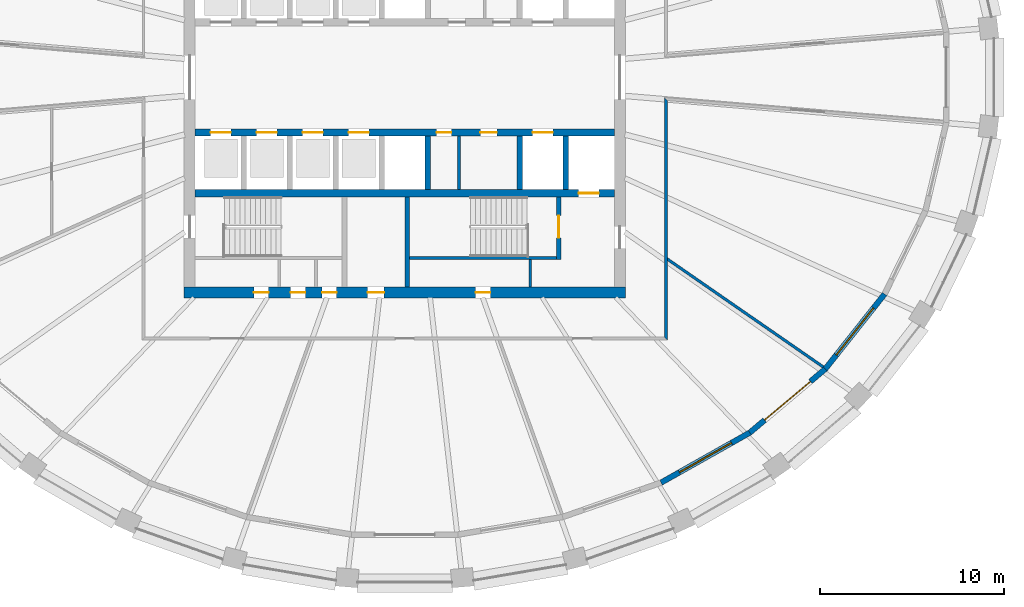
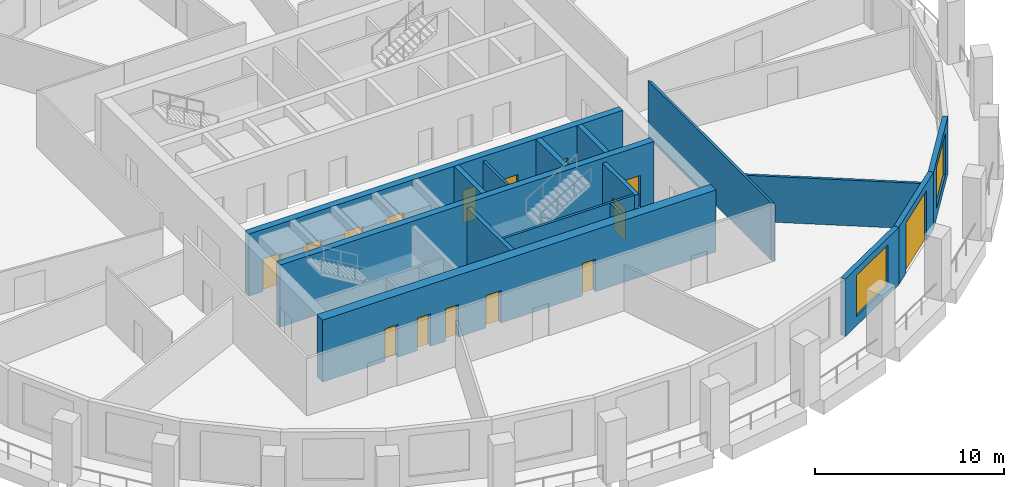
# One storey, part 4 of 10: 16 walls, 15 doors, 2 windows, 17 openings.
"""IFC4 building model written with IfcOpenShell, lengths in metres."""

from ifc_helpers import new_model, si_unit, direction, frame, frame_2d, origin, place, context, subcontext, project, spatial, polyline, rectangle, outline, extrude, material, layer, layer_set, type_object, element, fill, save


model = new_model("IFC4")

# Units and contexts
model_context = context("Model", 3, precision=1e-05, world=origin(), true_north=direction((0.0, 1.0)))
body_context = subcontext(model_context, "Body", "Model", "MODEL_VIEW")
ifc_project = project(units=[si_unit("LENGTHUNIT", "METRE"), si_unit("AREAUNIT", "SQUARE_METRE"), si_unit("VOLUMEUNIT", "CUBIC_METRE"), si_unit("PLANEANGLEUNIT", "RADIAN"), si_unit("MASSUNIT", "GRAM", prefix="KILO")], contexts=[model_context])

# Site, building, storey
site_placement = place(None, origin())
site = spatial("IfcSite", under=ifc_project, at=site_placement, CompositionType="ELEMENT")
building_placement = place(site_placement, origin())
building = spatial("IfcBuilding", under=site, at=building_placement, Name="Halqa Exchange Tower", CompositionType="ELEMENT")
storey_placement = place(building_placement, frame((0.0, 0.0, 210.89990234375)))
storey = spatial("IfcBuildingStorey", under=building, at=storey_placement, Name="L48", CompositionType="ELEMENT", Elevation=210.89990234375)

# Walls
ifc_material_1 = material(Name="Fire-rated gypsum board")
ifc_layer_1 = layer(ifc_material_1, 0.14990234375)
ifc_layer_set_1 = layer_set([ifc_layer_1], Name="Fire-rated gypsum board")
wall_type_1 = type_object("IfcWallType", Name="Fire partition EI 60 150", PredefinedType="PARTITIONING", material=ifc_layer_set_1)
wall_1_placement = place(storey_placement, frame((14.199951171875, -14.27490234375, 0.0), z_axis=(0.0, 0.0, 1.0), x_axis=(0.0, 1.0, 0.0)))
element("IfcWall", 1, at=wall_1_placement, inside=storey, type_object=wall_type_1, Name="L48-PWL-016", PredefinedType="PARTITIONING", context=body_context, shape_type="SweptSolid", body=[
    extrude(outline(polyline([(0.0, -0.074951171875), (1.859130859375, -0.074951171875), (3.71826171875, -0.074951171875), (5.5771484375, -0.074951171875), (7.436279296875, -0.074951171875), (9.29541015625, -0.074951171875), (11.154541015625, -0.074951171875), (13.013427734375, -0.074951171875), (13.176513671875, 0.074951171875), (11.3154296875, 0.074951171875), (9.45458984375, 0.074951171875), (7.593505859375, 0.074951171875), (5.732666015625, 0.074951171875), (3.871826171875, 0.074951171875), (2.0107421875, 0.074951171875), (0.14990234375, 0.074951171875), (0.0, -0.074951171875)])), origin(), (0.0, 0.0, 1.0), 3.7001953125),
])
wall_2_placement = place(storey_placement, frame((14.232421875, -9.8525390625, 0.0), z_axis=(0.0, 0.0, 1.0), x_axis=(0.822298116352, -0.569056946047, 0.0)))
element("IfcWall", 2, at=wall_2_placement, inside=storey, type_object=wall_type_1, Name="L48-PWL-017", PredefinedType="PARTITIONING", context=body_context, shape_type="SweptSolid", body=[
    extrude(outline(polyline([(0.103759765625, -0.074951171875), (1.810791015625, -0.074951171875), (3.517822265625, -0.074951171875), (5.224853515625, -0.074951171875), (6.931884765625, -0.074951171875), (8.638916015625, -0.074951171875), (10.345947265625, -0.074951171875), (10.36572265625, -0.001953125), (10.370361328125, 0.070068359375), (10.370361328125, 0.074951171875), (8.64208984375, 0.074951171875), (6.91357421875, 0.074951171875), (5.18505859375, 0.074951171875), (3.456787109375, 0.074951171875), (1.728515625, 0.074951171875), (0.0, 0.074951171875), (0.0, 0.07470703125), (0.103759765625, -0.074951171875)])), origin(), (0.0, 0.0, 1.0), 2.947021484375),
])
ifc_material_2 = material(Name="Gypsum board")
ifc_layer_2 = layer(ifc_material_2, 0.14990234375)
ifc_layer_set_2 = layer_set([ifc_layer_2], Name="Gypsum board")
wall_type_2 = type_object("IfcWallType", Name="Penthouse riser wall 150 gypsum", PredefinedType="PARTITIONING", material=ifc_layer_set_2)
wall_3_placement = place(storey_placement, frame((6.824951171875, -11.39990234375, 0.0), z_axis=(0.0, 0.0, 1.0), x_axis=(0.0, 1.0, 0.0)))
element("IfcWall", 3, at=wall_3_placement, inside=storey, type_object=wall_type_2, Name="Firefighting lobby west wall S", PredefinedType="PARTITIONING", context=body_context, shape_type="SweptSolid", body=[
    extrude(rectangle(XDim=1.5, YDim=0.14990234375, at=frame_2d((0.75, 0.0))), origin(), (0.0, 0.0, 1.0), 3.7001953125),
])
wall_4_placement = place(storey_placement, frame((2.949951171875, -6.10009765625, 0.0), z_axis=(0.0, 0.0, 1.0), x_axis=(0.0, 1.0, 0.0)))
element("IfcWall", 4, at=wall_4_placement, inside=storey, type_object=wall_type_2, Name="Freed bay partition SE2.950", PredefinedType="PARTITIONING", context=body_context, shape_type="SweptSolid", body=[
    extrude(rectangle(XDim=2.900146484375, YDim=0.14990234375, at=frame_2d((1.4501953125, 0.0))), origin(), (0.0, 0.0, 1.0), 3.7001953125),
])
ifc_material_3 = material(Name="Concrete C60/75", Category="concrete")
ifc_layer_3 = layer(ifc_material_3, 0.300048828125)
ifc_layer_set_3 = layer_set([ifc_layer_3], Name="Concrete C60/75")
wall_type_3 = type_object("IfcWallType", Name="RC core wall 300", PredefinedType="SHEAR", material=ifc_layer_set_3)
for number, where, z_axis, x_axis, name in (
    (5, (1.25, -6.10009765625, 0.0), (0.0, 0.0, 1.0), (0.0, 1.0, 0.0), "Shaft divider S5"),
    (6, (6.25, -6.10009765625, 0.0), (0.0, 0.0, 1.0), (0.0, 1.0, 0.0), "Shaft divider S7"),
    (7, (8.75, -6.10009765625, 0.0), (0.0, 0.0, 1.0), (0.0, 1.0, 0.0), "Shaft divider S8"),
):
    element("IfcWall", number, at=place(storey_placement, frame(where, z_axis=z_axis, x_axis=x_axis)), inside=storey, type_object=wall_type_3, Name=name, PredefinedType="SHEAR", context=body_context, shape_type="SweptSolid", body=[
        extrude(rectangle(XDim=2.900146484375, YDim=0.300048828125, at=frame_2d((1.4501953125, 0.0))), origin(), (0.0, 0.0, 1.0), 4.0),
    ])

# Wall, openings, doors
ifc_material_4 = material(Name="Concrete C70/85", Category="concrete")
ifc_layer_4 = layer(ifc_material_4, 0.39990234375)
ifc_layer_set_4 = layer_set([ifc_layer_4], Name="Concrete C70/85")
wall_type_4 = type_object("IfcWallType", Name="RC core wall 400 C70/85", PredefinedType="SHEAR", material=ifc_layer_set_4)
wall_5_placement = place(storey_placement, frame((-11.39990234375, -3.0, 0.0), z_axis=(0.0, 0.0, 1.0), x_axis=(1.0, 0.0, 0.0)))
wall_5 = element("IfcWall", 8, at=wall_5_placement, inside=storey, type_object=wall_type_4, Name="Lift row front wall S", PredefinedType="SHEAR", context=body_context, shape_type="SweptSolid", body=[
    extrude(rectangle(XDim=22.7998046875, YDim=0.39990234375, at=frame_2d((11.39990234375, 0.0))), origin(), (0.0, 0.0, 1.0), 4.0),
])
opening_1_placement = place(wall_5_placement, frame((0.85009765625, 0.0, 0.0)))
opening_1 = element("IfcOpeningElement", 9, at=opening_1_placement, cuts=wall_5, Name="Opening LD-HR3-T14", PredefinedType="OPENING", context=body_context, shape_type="SweptSolid", body=[
    extrude(rectangle(XDim=1.10009765625, YDim=2.10009765625, at=frame_2d((0.550048828125, 1.050048828125))), frame((0.0, 0.2119140625, 0.0), z_axis=(0.0, -1.0, 0.0), x_axis=(1.0, 0.0, 0.0)), (0.0, 0.0, 1.0), 0.423828125),
])
opening_2_placement = place(wall_5_placement, frame((3.35009765625, 0.0, 0.0)))
opening_2 = element("IfcOpeningElement", 10, at=opening_2_placement, cuts=wall_5, Name="Opening LD-HR4-T14", PredefinedType="OPENING", context=body_context, shape_type="SweptSolid", body=[
    extrude(rectangle(XDim=1.10009765625, YDim=2.10009765625, at=frame_2d((0.550048828125, 1.050048828125))), frame((0.0, 0.2119140625, 0.0), z_axis=(0.0, -1.0, 0.0), x_axis=(1.0, 0.0, 0.0)), (0.0, 0.0, 1.0), 0.423828125),
])
opening_3_placement = place(wall_5_placement, frame((5.85009765625, 0.0, 0.0)))
opening_3 = element("IfcOpeningElement", 11, at=opening_3_placement, cuts=wall_5, Name="Opening LD-MR3-T14", PredefinedType="OPENING", context=body_context, shape_type="SweptSolid", body=[
    extrude(rectangle(XDim=1.10009765625, YDim=2.10009765625, at=frame_2d((0.550048828125, 1.050048828125))), frame((0.0, 0.2119140625, 0.0), z_axis=(0.0, -1.0, 0.0), x_axis=(1.0, 0.0, 0.0)), (0.0, 0.0, 1.0), 0.423828125),
])
opening_4_placement = place(wall_5_placement, frame((8.35009765625, 0.0, 0.0)))
opening_4 = element("IfcOpeningElement", 12, at=opening_4_placement, cuts=wall_5, Name="Opening LD-MR4-T14", PredefinedType="OPENING", context=body_context, shape_type="SweptSolid", body=[
    extrude(rectangle(XDim=1.10009765625, YDim=2.10009765625, at=frame_2d((0.550048828125, 1.050048828125))), frame((0.0, 0.2119140625, 0.0), z_axis=(0.0, -1.0, 0.0), x_axis=(1.0, 0.0, 0.0)), (0.0, 0.0, 1.0), 0.423828125),
])
opening_5_placement = place(wall_5_placement, frame((18.35009765625, 0.0, 0.0)))
opening_5 = element("IfcOpeningElement", 13, at=opening_5_placement, cuts=wall_5, Name="Opening LD-SV2-T14", PredefinedType="OPENING", context=body_context, shape_type="SweptSolid", body=[
    extrude(rectangle(XDim=1.10009765625, YDim=2.10009765625, at=frame_2d((0.550048828125, 1.050048828125))), frame((0.0, 0.2119140625, 0.0), z_axis=(0.0, -1.0, 0.0), x_axis=(1.0, 0.0, 0.0)), (0.0, 0.0, 1.0), 0.423828125),
])
opening_6_placement = place(wall_5_placement, frame((13.137451171875, 0.0, 0.0)))
opening_6 = element("IfcOpeningElement", 14, at=opening_6_placement, cuts=wall_5, Name="Opening T14-C33", PredefinedType="OPENING", context=body_context, shape_type="SweptSolid", body=[
    extrude(rectangle(XDim=0.800048828125, YDim=2.10009765625, at=frame_2d((0.39990234375, 1.050048828125))), frame((0.0, 0.2119140625, 0.0), z_axis=(0.0, -1.0, 0.0), x_axis=(1.0, 0.0, 0.0)), (0.0, 0.0, 1.0), 0.423828125),
])
opening_7_placement = place(wall_5_placement, frame((15.512451171875, 0.0, 0.0)))
opening_7 = element("IfcOpeningElement", 15, at=opening_7_placement, cuts=wall_5, Name="Opening T14-C34", PredefinedType="OPENING", context=body_context, shape_type="SweptSolid", body=[
    extrude(rectangle(XDim=0.89990234375, YDim=2.10009765625, at=frame_2d((0.449951171875, 1.050048828125))), frame((0.0, 0.2119140625, 0.0), z_axis=(0.0, -1.0, 0.0), x_axis=(1.0, 0.0, 0.0)), (0.0, 0.0, 1.0), 0.423828125),
])
ifc_material_5 = material(Name="Timber fire door leaf", Category="wood")
door_type_1 = type_object("IfcDoorType", Name="Core room door FD30 900 x 2100", OperationType="SINGLE_SWING_LEFT", PredefinedType="DOOR", material=ifc_material_5)
door_1_placement = place(opening_7_placement, frame((0.89990234375, 0.0, 0.0), z_axis=(0.0, 0.0, 1.0), x_axis=(-1.0, 0.0, 0.0)))
door_1 = element("IfcDoor", 16, at=door_1_placement, inside=storey, type_object=door_type_1, Name="Core room door", OperationType="SINGLE_SWING_RIGHT", OverallHeight=2.10009765625, OverallWidth=0.89990234375, PredefinedType="DOOR", context=body_context, shape_type="SweptSolid", body=[
    extrude(rectangle(XDim=0.89990234375, YDim=2.10009765625, at=frame_2d((0.449951171875, 1.050048828125))), frame((0.0, 0.02490234375, 0.0), z_axis=(0.0, -1.0, 0.0), x_axis=(1.0, 0.0, 0.0)), (0.0, 0.0, 1.0), 0.050048828125),
])
fill(opening_7, door_1)
ifc_material_6 = material(Name="Stainless steel", Category="steel")
door_type_2 = type_object("IfcDoorType", Name="Lift landing door 1100 x 2100", OperationType="SLIDING_TO_LEFT", PredefinedType="DOOR", material=ifc_material_6)
door_2_placement = place(opening_1_placement, origin())
door_2 = element("IfcDoor", 17, at=door_2_placement, inside=storey, type_object=door_type_2, Name="Lift landing door HR3", OperationType="SLIDING_TO_LEFT", OverallHeight=2.10009765625, OverallWidth=1.10009765625, PredefinedType="DOOR", context=body_context, shape_type="SweptSolid", body=[
    extrude(rectangle(XDim=1.10009765625, YDim=2.10009765625, at=frame_2d((0.550048828125, 1.050048828125))), frame((0.0, 0.02490234375, 0.0), z_axis=(0.0, -1.0, 0.0), x_axis=(1.0, 0.0, 0.0)), (0.0, 0.0, 1.0), 0.050048828125),
])
fill(opening_1, door_2)
door_3_placement = place(opening_2_placement, origin())
door_3 = element("IfcDoor", 18, at=door_3_placement, inside=storey, type_object=door_type_2, Name="Lift landing door HR4", OperationType="SLIDING_TO_LEFT", OverallHeight=2.10009765625, OverallWidth=1.10009765625, PredefinedType="DOOR", context=body_context, shape_type="SweptSolid", body=[
    extrude(rectangle(XDim=1.10009765625, YDim=2.10009765625, at=frame_2d((0.550048828125, 1.050048828125))), frame((0.0, 0.02490234375, 0.0), z_axis=(0.0, -1.0, 0.0), x_axis=(1.0, 0.0, 0.0)), (0.0, 0.0, 1.0), 0.050048828125),
])
fill(opening_2, door_3)
door_4_placement = place(opening_3_placement, origin())
door_4 = element("IfcDoor", 19, at=door_4_placement, inside=storey, type_object=door_type_2, Name="Lift landing door MR3", OperationType="SLIDING_TO_LEFT", OverallHeight=2.10009765625, OverallWidth=1.10009765625, PredefinedType="DOOR", context=body_context, shape_type="SweptSolid", body=[
    extrude(rectangle(XDim=1.10009765625, YDim=2.10009765625, at=frame_2d((0.550048828125, 1.050048828125))), frame((0.0, 0.02490234375, 0.0), z_axis=(0.0, -1.0, 0.0), x_axis=(1.0, 0.0, 0.0)), (0.0, 0.0, 1.0), 0.050048828125),
])
fill(opening_3, door_4)
door_5_placement = place(opening_4_placement, origin())
door_5 = element("IfcDoor", 20, at=door_5_placement, inside=storey, type_object=door_type_2, Name="Lift landing door MR4", OperationType="SLIDING_TO_LEFT", OverallHeight=2.10009765625, OverallWidth=1.10009765625, PredefinedType="DOOR", context=body_context, shape_type="SweptSolid", body=[
    extrude(rectangle(XDim=1.10009765625, YDim=2.10009765625, at=frame_2d((0.550048828125, 1.050048828125))), frame((0.0, 0.02490234375, 0.0), z_axis=(0.0, -1.0, 0.0), x_axis=(1.0, 0.0, 0.0)), (0.0, 0.0, 1.0), 0.050048828125),
])
fill(opening_4, door_5)
door_6_placement = place(opening_5_placement, origin())
door_6 = element("IfcDoor", 21, at=door_6_placement, inside=storey, type_object=door_type_2, Name="Lift landing door SV2", OperationType="SLIDING_TO_LEFT", OverallHeight=2.10009765625, OverallWidth=1.10009765625, PredefinedType="DOOR", context=body_context, shape_type="SweptSolid", body=[
    extrude(rectangle(XDim=1.10009765625, YDim=2.10009765625, at=frame_2d((0.550048828125, 1.050048828125))), frame((0.0, 0.02490234375, 0.0), z_axis=(0.0, -1.0, 0.0), x_axis=(1.0, 0.0, 0.0)), (0.0, 0.0, 1.0), 0.050048828125),
])
fill(opening_5, door_6)
ifc_material_7 = material(Name="Steel fire door leaf", Category="steel")
door_type_3 = type_object("IfcDoorType", Name="Riser door FD60 800 x 2100", OperationType="SINGLE_SWING_LEFT", PredefinedType="DOOR", material=ifc_material_7)
door_7_placement = place(opening_6_placement, frame((0.800048828125, 0.0, 0.0), z_axis=(0.0, 0.0, 1.0), x_axis=(-1.0, 0.0, 0.0)))
door_7 = element("IfcDoor", 22, at=door_7_placement, inside=storey, type_object=door_type_3, Name="Core room door", OperationType="SINGLE_SWING_LEFT", OverallHeight=2.10009765625, OverallWidth=0.800048828125, PredefinedType="DOOR", context=body_context, shape_type="SweptSolid", body=[
    extrude(rectangle(XDim=0.800048828125, YDim=2.10009765625, at=frame_2d((0.39990234375, 1.050048828125))), frame((0.0, 0.02490234375, 0.0), z_axis=(0.0, -1.0, 0.0), x_axis=(1.0, 0.0, 0.0)), (0.0, 0.0, 1.0), 0.050048828125),
])
fill(opening_6, door_7)

# Wall, opening, door
wall_6_placement = place(storey_placement, frame((-11.39990234375, -6.300048828125, 0.0), z_axis=(0.0, 0.0, 1.0), x_axis=(1.0, 0.0, 0.0)))
wall_6 = element("IfcWall", 23, at=wall_6_placement, inside=storey, type_object=wall_type_4, Name="Lift row back wall S", PredefinedType="SHEAR", context=body_context, shape_type="SweptSolid", body=[
    extrude(rectangle(XDim=22.7998046875, YDim=0.39990234375, at=frame_2d((11.39990234375, 0.0))), origin(), (0.0, 0.0, 1.0), 4.0),
])
opening_8_placement = place(wall_6_placement, frame((20.85009765625, 0.0, 0.0)))
opening_8 = element("IfcOpeningElement", 24, at=opening_8_placement, cuts=wall_6, Name="Opening LD-FF2-T14", PredefinedType="OPENING", context=body_context, shape_type="SweptSolid", body=[
    extrude(rectangle(XDim=1.10009765625, YDim=2.10009765625, at=frame_2d((0.550048828125, 1.050048828125))), frame((0.0, 0.2119140625, 0.0), z_axis=(0.0, -1.0, 0.0), x_axis=(1.0, 0.0, 0.0)), (0.0, 0.0, 1.0), 0.423828125),
])
door_8_placement = place(opening_8_placement, origin())
door_8 = element("IfcDoor", 25, at=door_8_placement, inside=storey, type_object=door_type_2, Name="Lift landing door FF2", OperationType="SLIDING_TO_LEFT", OverallHeight=2.10009765625, OverallWidth=1.10009765625, PredefinedType="DOOR", context=body_context, shape_type="SweptSolid", body=[
    extrude(rectangle(XDim=1.10009765625, YDim=2.10009765625, at=frame_2d((0.550048828125, 1.050048828125))), frame((0.0, 0.02490234375, 0.0), z_axis=(0.0, -1.0, 0.0), x_axis=(1.0, 0.0, 0.0)), (0.0, 0.0, 1.0), 0.050048828125),
])
fill(opening_8, door_8)

# Wall, openings, doors
ifc_layer_5 = layer(ifc_material_4, 0.60009765625)
ifc_layer_set_5 = layer_set([ifc_layer_5], Name="Concrete C70/85")
wall_type_5 = type_object("IfcWallType", Name="RC core wall 600 C70/85", PredefinedType="SHEAR", material=ifc_layer_set_5)
wall_7_placement = place(storey_placement, frame((-12.0, -11.699951171875, 0.0), z_axis=(0.0, 0.0, 1.0), x_axis=(1.0, 0.0, 0.0)))
wall_7 = element("IfcWall", 26, at=wall_7_placement, inside=storey, type_object=wall_type_5, Name="Core wall south", PredefinedType="SHEAR", context=body_context, shape_type="SweptSolid", body=[
    extrude(rectangle(XDim=24.0, YDim=0.60009765625, at=frame_2d((12.0, 0.0))), origin(), (0.0, 0.0, 1.0), 4.0),
])
opening_9_placement = place(wall_7_placement, frame((9.97509765625, 0.0, 0.0)))
opening_9 = element("IfcOpeningElement", 27, at=opening_9_placement, cuts=wall_7, Name="Opening T14-C26", PredefinedType="OPENING", context=body_context, shape_type="SweptSolid", body=[
    extrude(rectangle(XDim=0.89990234375, YDim=2.10009765625, at=frame_2d((0.449951171875, 1.050048828125))), frame((0.0, 0.31201171875, 0.0), z_axis=(0.0, -1.0, 0.0), x_axis=(1.0, 0.0, 0.0)), (0.0, 0.0, 1.0), 0.6240234375),
])
opening_10_placement = place(wall_7_placement, frame((3.800048828125, 0.0, 0.0)))
opening_10 = element("IfcOpeningElement", 28, at=opening_10_placement, cuts=wall_7, Name="Opening T14-C27", PredefinedType="OPENING", context=body_context, shape_type="SweptSolid", body=[
    extrude(rectangle(XDim=0.800048828125, YDim=2.10009765625, at=frame_2d((0.39990234375, 1.050048828125))), frame((0.0, 0.31201171875, 0.0), z_axis=(0.0, -1.0, 0.0), x_axis=(1.0, 0.0, 0.0)), (0.0, 0.0, 1.0), 0.6240234375),
])
opening_11_placement = place(wall_7_placement, frame((5.800048828125, 0.0, 0.0)))
opening_11 = element("IfcOpeningElement", 29, at=opening_11_placement, cuts=wall_7, Name="Opening T14-C28", PredefinedType="OPENING", context=body_context, shape_type="SweptSolid", body=[
    extrude(rectangle(XDim=0.800048828125, YDim=2.10009765625, at=frame_2d((0.39990234375, 1.050048828125))), frame((0.0, 0.31201171875, 0.0), z_axis=(0.0, -1.0, 0.0), x_axis=(1.0, 0.0, 0.0)), (0.0, 0.0, 1.0), 0.6240234375),
])
opening_12_placement = place(wall_7_placement, frame((7.5, 0.0, 0.0)))
opening_12 = element("IfcOpeningElement", 30, at=opening_12_placement, cuts=wall_7, Name="Opening T14-C29", PredefinedType="OPENING", context=body_context, shape_type="SweptSolid", body=[
    extrude(rectangle(XDim=0.800048828125, YDim=2.10009765625, at=frame_2d((0.39990234375, 1.050048828125))), frame((0.0, 0.31201171875, 0.0), z_axis=(0.0, -1.0, 0.0), x_axis=(1.0, 0.0, 0.0)), (0.0, 0.0, 1.0), 0.6240234375),
])
opening_13_placement = place(wall_7_placement, frame((15.85009765625, 0.0, 0.0)))
opening_13 = element("IfcOpeningElement", 31, at=opening_13_placement, cuts=wall_7, Name="Opening T14-C30", PredefinedType="OPENING", context=body_context, shape_type="SweptSolid", body=[
    extrude(rectangle(XDim=0.800048828125, YDim=2.10009765625, at=frame_2d((0.39990234375, 1.050048828125))), frame((0.0, 0.31201171875, 0.0), z_axis=(0.0, -1.0, 0.0), x_axis=(1.0, 0.0, 0.0)), (0.0, 0.0, 1.0), 0.6240234375),
])
door_9_placement = place(opening_9_placement, origin())
door_9 = element("IfcDoor", 32, at=door_9_placement, inside=storey, type_object=door_type_1, Name="Core room door", OperationType="SINGLE_SWING_RIGHT", OverallHeight=2.10009765625, OverallWidth=0.89990234375, PredefinedType="DOOR", context=body_context, shape_type="SweptSolid", body=[
    extrude(rectangle(XDim=0.89990234375, YDim=2.10009765625, at=frame_2d((0.449951171875, 1.050048828125))), frame((0.0, 0.02490234375, 0.0), z_axis=(0.0, -1.0, 0.0), x_axis=(1.0, 0.0, 0.0)), (0.0, 0.0, 1.0), 0.050048828125),
])
fill(opening_9, door_9)
door_10_placement = place(opening_10_placement, origin())
door_10 = element("IfcDoor", 33, at=door_10_placement, inside=storey, type_object=door_type_3, Name="Core room door", OperationType="SINGLE_SWING_LEFT", OverallHeight=2.10009765625, OverallWidth=0.800048828125, PredefinedType="DOOR", context=body_context, shape_type="SweptSolid", body=[
    extrude(rectangle(XDim=0.800048828125, YDim=2.10009765625, at=frame_2d((0.39990234375, 1.050048828125))), frame((0.0, 0.02490234375, 0.0), z_axis=(0.0, -1.0, 0.0), x_axis=(1.0, 0.0, 0.0)), (0.0, 0.0, 1.0), 0.050048828125),
])
fill(opening_10, door_10)
door_11_placement = place(opening_11_placement, origin())
door_11 = element("IfcDoor", 34, at=door_11_placement, inside=storey, type_object=door_type_3, Name="Core room door", OperationType="SINGLE_SWING_LEFT", OverallHeight=2.10009765625, OverallWidth=0.800048828125, PredefinedType="DOOR", context=body_context, shape_type="SweptSolid", body=[
    extrude(rectangle(XDim=0.800048828125, YDim=2.10009765625, at=frame_2d((0.39990234375, 1.050048828125))), frame((0.0, 0.02490234375, 0.0), z_axis=(0.0, -1.0, 0.0), x_axis=(1.0, 0.0, 0.0)), (0.0, 0.0, 1.0), 0.050048828125),
])
fill(opening_11, door_11)
door_12_placement = place(opening_12_placement, origin())
door_12 = element("IfcDoor", 35, at=door_12_placement, inside=storey, type_object=door_type_3, Name="Core room door", OperationType="SINGLE_SWING_LEFT", OverallHeight=2.10009765625, OverallWidth=0.800048828125, PredefinedType="DOOR", context=body_context, shape_type="SweptSolid", body=[
    extrude(rectangle(XDim=0.800048828125, YDim=2.10009765625, at=frame_2d((0.39990234375, 1.050048828125))), frame((0.0, 0.02490234375, 0.0), z_axis=(0.0, -1.0, 0.0), x_axis=(1.0, 0.0, 0.0)), (0.0, 0.0, 1.0), 0.050048828125),
])
fill(opening_12, door_12)
door_13_placement = place(opening_13_placement, origin())
door_13 = element("IfcDoor", 36, at=door_13_placement, inside=storey, type_object=door_type_3, Name="Core room door", OperationType="SINGLE_SWING_LEFT", OverallHeight=2.10009765625, OverallWidth=0.800048828125, PredefinedType="DOOR", context=body_context, shape_type="SweptSolid", body=[
    extrude(rectangle(XDim=0.800048828125, YDim=2.10009765625, at=frame_2d((0.39990234375, 1.050048828125))), frame((0.0, 0.02490234375, 0.0), z_axis=(0.0, -1.0, 0.0), x_axis=(1.0, 0.0, 0.0)), (0.0, 0.0, 1.0), 0.050048828125),
])
fill(opening_13, door_13)

# Walls
ifc_material_8 = material(Name="Concrete C30/37", Category="concrete")
ifc_layer_6 = layer(ifc_material_8, 0.14990234375)
ifc_layer_set_6 = layer_set([ifc_layer_6], Name="Concrete C30/37")
wall_type_6 = type_object("IfcWallType", Name="RC stair wall 150 C30/37", PredefinedType="SHEAR", material=ifc_layer_set_6)
wall_8_placement = place(storey_placement, frame((0.25, -9.824951171875, 0.0), z_axis=(0.0, 0.0, 1.0), x_axis=(1.0, 0.0, 0.0)))
element("IfcWall", 37, at=wall_8_placement, inside=storey, type_object=wall_type_6, Name="Stair ST2 north wall S", PredefinedType="SHEAR", context=body_context, shape_type="SweptSolid", body=[
    extrude(rectangle(XDim=8.0, YDim=0.14990234375, at=frame_2d((4.0, 0.0))), origin(), (0.0, 0.0, 1.0), 3.7001953125),
])
ifc_layer_7 = layer(ifc_material_8, 0.25)
ifc_layer_set_7 = layer_set([ifc_layer_7], Name="Concrete C30/37")
wall_type_7 = type_object("IfcWallType", Name="RC stair wall 250 C30/37", PredefinedType="SHEAR", material=ifc_layer_set_7)
wall_9_placement = place(storey_placement, frame((0.125, -11.39990234375, 0.0), z_axis=(0.0, 0.0, 1.0), x_axis=(0.0, 1.0, 0.0)))
element("IfcWall", 38, at=wall_9_placement, inside=storey, type_object=wall_type_7, Name="Stair ST2 west wall S", PredefinedType="SHEAR", context=body_context, shape_type="SweptSolid", body=[
    extrude(rectangle(XDim=4.89990234375, YDim=0.25, at=frame_2d((2.449951171875, 0.0))), origin(), (0.0, 0.0, 1.0), 3.7001953125),
])

# Wall, opening, door
wall_10_placement = place(storey_placement, frame((8.375, -9.89990234375, 0.0), z_axis=(0.0, 0.0, 1.0), x_axis=(0.0, 1.0, 0.0)))
wall_10 = element("IfcWall", 39, at=wall_10_placement, inside=storey, type_object=wall_type_7, Name="Stair ST2 east wall S", PredefinedType="SHEAR", context=body_context, shape_type="SweptSolid", body=[
    extrude(rectangle(XDim=3.39990234375, YDim=0.25, at=frame_2d((1.699951171875, 0.0))), origin(), (0.0, 0.0, 1.0), 3.7001953125),
])
opening_14_placement = place(wall_10_placement, frame((1.175048828125, 0.0, 0.0)))
opening_14 = element("IfcOpeningElement", 40, at=opening_14_placement, cuts=wall_10, Name="Opening T14-C18", PredefinedType="OPENING", context=body_context, shape_type="SweptSolid", body=[
    extrude(rectangle(XDim=1.199951171875, YDim=2.10009765625, at=frame_2d((0.60009765625, 1.050048828125))), frame((0.0, 0.136962890625, 0.0), z_axis=(0.0, -1.0, 0.0), x_axis=(1.0, 0.0, 0.0)), (0.0, 0.0, 1.0), 0.27392578125),
])
door_type_4 = type_object("IfcDoorType", Name="Stair door FD90 1200 x 2100", OperationType="SINGLE_SWING_LEFT", PredefinedType="DOOR", material=ifc_material_7)
door_14_placement = place(opening_14_placement, origin())
door_14 = element("IfcDoor", 41, at=door_14_placement, inside=storey, type_object=door_type_4, Name="Stair door ST4", OperationType="SINGLE_SWING_RIGHT", OverallHeight=2.10009765625, OverallWidth=1.199951171875, PredefinedType="DOOR", context=body_context, shape_type="SweptSolid", body=[
    extrude(rectangle(XDim=1.199951171875, YDim=2.10009765625, at=frame_2d((0.60009765625, 1.050048828125))), frame((0.0, 0.02490234375, 0.0), z_axis=(0.0, -1.0, 0.0), x_axis=(1.0, 0.0, 0.0)), (0.0, 0.0, 1.0), 0.050048828125),
])
fill(opening_14, door_14)

# Wall, opening, window
ifc_material_9 = material(Name="Limestone cladding", Category="masonry")
ifc_layer_8 = layer(ifc_material_9, 0.0400390625)
ifc_material_10 = material(Name="Ventilated cavity")
ifc_layer_9 = layer(ifc_material_10, 0.030029296875, ventilated=True)
ifc_material_11 = material(Name="Mineral wool insulation")
ifc_layer_10 = layer(ifc_material_11, 0.10009765625)
ifc_layer_11 = layer(ifc_material_8, 0.10009765625)
ifc_material_12 = material(Name="Internal plaster")
ifc_layer_12 = layer(ifc_material_12, 0.030029296875)
ifc_layer_set_8 = layer_set([ifc_layer_8, ifc_layer_9, ifc_layer_10, ifc_layer_11, ifc_layer_12], Name="Stone-faced insulated wall 300")
wall_type_8 = type_object("IfcWallType", Name="Stone-faced insulated wall 300", PredefinedType="STANDARD", material=ifc_layer_set_8)
wall_11_placement = place(storey_placement, frame((13.9384765625, -22.03662109375, 0.0), z_axis=(0.0, 0.0, 1.0), x_axis=(0.871140546168, 0.491033755278, 0.0)))
wall_11 = element("IfcWall", 42, at=wall_11_placement, inside=storey, type_object=wall_type_8, Name="Glass-line wall 27", PredefinedType="STANDARD", context=body_context, shape_type="SweptSolid", body=[
    extrude(outline(polyline([(-0.013427734375, -0.14990234375), (5.549560546875, -0.14990234375), (5.521240234375, 0.14990234375), (0.013427734375, 0.14990234375), (-0.013427734375, -0.14990234375)])), origin(), (0.0, 0.0, 1.0), 3.7001953125),
])
opening_15_placement = place(wall_11_placement, frame((1.142578125, 0.0, 0.60009765625)))
opening_15 = element("IfcOpeningElement", 43, at=opening_15_placement, cuts=wall_11, Name="Opening W-F3-27", PredefinedType="OPENING", context=body_context, shape_type="SweptSolid", body=[
    extrude(rectangle(XDim=3.25, YDim=2.64990234375, at=frame_2d((1.625, 1.324951171875))), frame((0.0, 0.162109375, 0.0), z_axis=(0.0, -1.0, 0.0), x_axis=(1.0, 0.0, 0.0)), (0.0, 0.0, 1.0), 0.323974609375),
])
ifc_material_13 = material(Name="Clear low-emissivity glass in aluminium frame", Category="aluminium")
window_type = type_object("IfcWindowType", Name="Fixed clear glazed window 3250 x 2650", PartitioningType="TRIPLE_PANEL_VERTICAL", PredefinedType="WINDOW", material=ifc_material_13)
window_1_placement = place(opening_15_placement, origin())
window_1 = element("IfcWindow", 44, at=window_1_placement, inside=storey, type_object=window_type, Name="Window 3", OverallHeight=2.64990234375, OverallWidth=3.25, PartitioningType="TRIPLE_PANEL_VERTICAL", PredefinedType="WINDOW", context=body_context, shape_type="SweptSolid", body=[
    extrude(rectangle(XDim=3.25, YDim=2.64990234375, at=frame_2d((1.625, 1.324951171875))), frame((0.0, 0.030029296875, 0.0), z_axis=(0.0, -1.0, 0.0), x_axis=(1.0, 0.0, 0.0)), (0.0, 0.0, 1.0), 0.06005859375),
])
fill(opening_15, window_1)

# Wall, opening, door
wall_12_placement = place(storey_placement, frame((18.760498046875, -19.318603515625, 0.0), z_axis=(0.0, 0.0, 1.0), x_axis=(0.764386053229, 0.6447588399, 0.0)))
wall_12 = element("IfcWall", 45, at=wall_12_placement, inside=storey, type_object=wall_type_8, Name="Glass-line wall 28", PredefinedType="STANDARD", context=body_context, shape_type="SweptSolid", body=[
    extrude(outline(polyline([(-0.01416015625, -0.14990234375), (5.382568359375, -0.14990234375), (5.352294921875, 0.14990234375), (0.01416015625, 0.14990234375), (-0.01416015625, -0.14990234375)])), origin(), (0.0, 0.0, 1.0), 3.7001953125),
])
opening_16_placement = place(wall_12_placement, frame((1.058837890625, 0.0, 0.0)))
opening_16 = element("IfcOpeningElement", 46, at=opening_16_placement, cuts=wall_12, Name="Opening LG-F3-07", PredefinedType="OPENING", context=body_context, shape_type="SweptSolid", body=[
    extrude(rectangle(XDim=3.25, YDim=3.25, at=frame_2d((1.625, 1.625))), frame((0.0, 0.162109375, 0.0), z_axis=(0.0, -1.0, 0.0), x_axis=(1.0, 0.0, 0.0)), (0.0, 0.0, 1.0), 0.323974609375),
])
door_type_5 = type_object("IfcDoorType", Name="Glazed sliding loggia door 3250 x 3250", OperationType="DOUBLE_DOOR_SLIDING", PredefinedType="DOOR", material=ifc_material_13)
door_15_placement = place(opening_16_placement, origin())
door_15 = element("IfcDoor", 47, at=door_15_placement, inside=storey, type_object=door_type_5, Name="Loggia door 7", OperationType="DOUBLE_DOOR_SLIDING", OverallHeight=3.25, OverallWidth=3.25, PredefinedType="DOOR", context=body_context, shape_type="SweptSolid", body=[
    extrude(rectangle(XDim=3.25, YDim=3.25, at=frame_2d((1.625, 1.625))), frame((0.0, 0.02490234375, 0.0), z_axis=(0.0, -1.0, 0.0), x_axis=(1.0, 0.0, 0.0)), (0.0, 0.0, 1.0), 0.050048828125),
])
fill(opening_16, door_15)

# Wall, opening, window
wall_13_placement = place(storey_placement, frame((22.86328125, -15.85791015625, 0.0), z_axis=(0.0, 0.0, 1.0), x_axis=(0.620870264345, 0.783913333763, 0.0)))
wall_13 = element("IfcWall", 48, at=wall_13_placement, inside=storey, type_object=wall_type_8, Name="Glass-line wall 29", PredefinedType="STANDARD", context=body_context, shape_type="SweptSolid", body=[
    extrude(outline(polyline([(-0.01513671875, -0.14990234375), (5.210693359375, -0.14990234375), (5.178466796875, 0.14990234375), (0.01513671875, 0.14990234375), (-0.01513671875, -0.14990234375)])), origin(), (0.0, 0.0, 1.0), 3.7001953125),
])
opening_17_placement = place(wall_13_placement, frame((0.97216796875, 0.0, 0.60009765625)))
opening_17 = element("IfcOpeningElement", 49, at=opening_17_placement, cuts=wall_13, Name="Opening W-F3-29", PredefinedType="OPENING", context=body_context, shape_type="SweptSolid", body=[
    extrude(rectangle(XDim=3.25, YDim=2.64990234375, at=frame_2d((1.625, 1.324951171875))), frame((0.0, 0.162109375, 0.0), z_axis=(0.0, -1.0, 0.0), x_axis=(1.0, 0.0, 0.0)), (0.0, 0.0, 1.0), 0.323974609375),
])
window_2_placement = place(opening_17_placement, origin())
window_2 = element("IfcWindow", 50, at=window_2_placement, inside=storey, type_object=window_type, Name="Window 3", OverallHeight=2.64990234375, OverallWidth=3.25, PartitioningType="TRIPLE_PANEL_VERTICAL", PredefinedType="WINDOW", context=body_context, shape_type="SweptSolid", body=[
    extrude(rectangle(XDim=3.25, YDim=2.64990234375, at=frame_2d((1.625, 1.324951171875))), frame((0.0, 0.030029296875, 0.0), z_axis=(0.0, -1.0, 0.0), x_axis=(1.0, 0.0, 0.0)), (0.0, 0.0, 1.0), 0.06005859375),
])
fill(opening_17, window_2)

save(model, "model.ifc")
